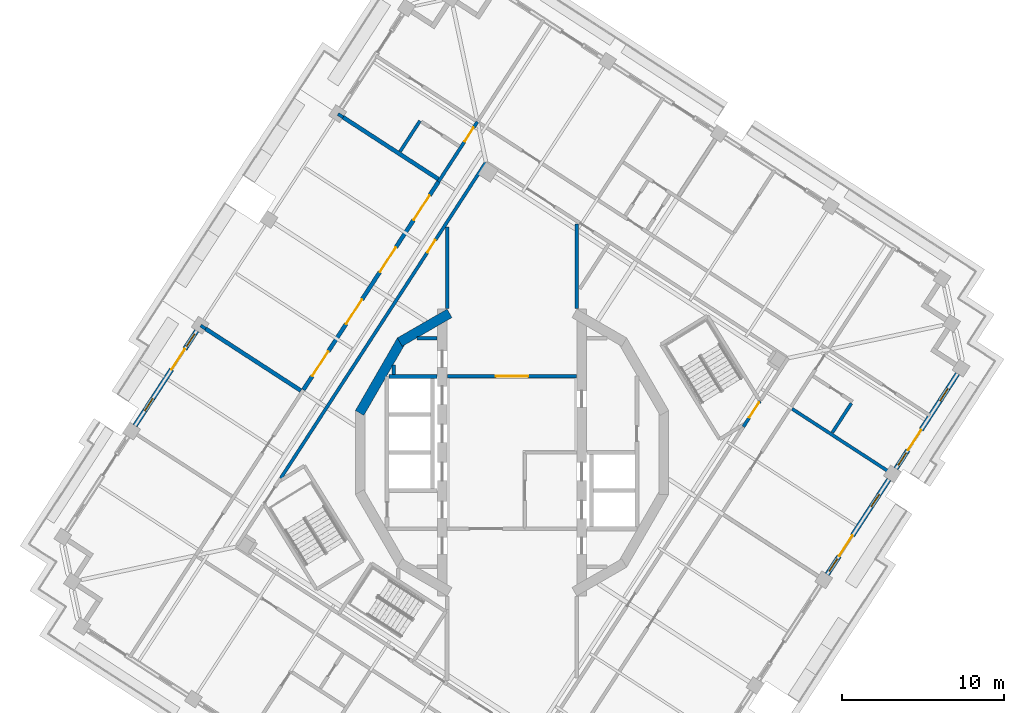
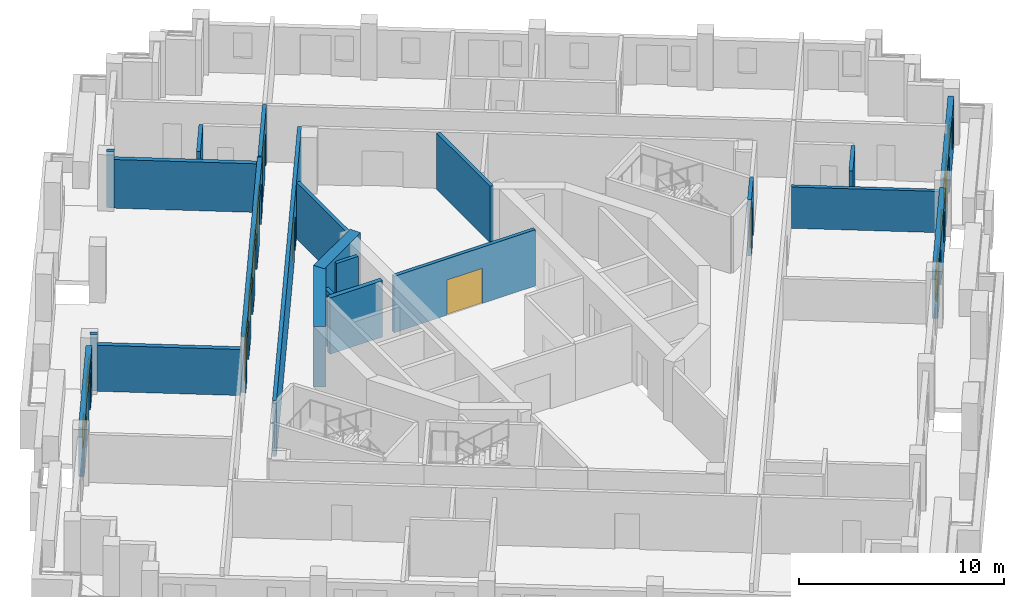
# One storey, part 7 of 15: 22 walls, 11 doors, 6 windows, 17 openings.
"""IFC4 building model written with IfcOpenShell, lengths in metres."""

from ifc_helpers import new_model, si_unit, direction, frame, frame_2d, origin, place, context, subcontext, project, spatial, rectangle, extrude, material, layer, layer_set, type_object, element, fill, save


model = new_model("IFC4")

# Units and contexts
model_context = context("Model", 3, precision=1e-05, world=origin(), true_north=direction((0.0, 1.0)))
body_context = subcontext(model_context, "Body", "Model", "MODEL_VIEW")
ifc_project = project(units=[si_unit("LENGTHUNIT", "METRE"), si_unit("AREAUNIT", "SQUARE_METRE"), si_unit("VOLUMEUNIT", "CUBIC_METRE"), si_unit("PLANEANGLEUNIT", "RADIAN"), si_unit("MASSUNIT", "GRAM", prefix="KILO")], contexts=[model_context])

# Site, building, storey
site_placement = place(None, origin())
site = spatial("IfcSite", under=ifc_project, at=site_placement, CompositionType="ELEMENT")
building_placement = place(site_placement, origin())
building = spatial("IfcBuilding", under=site, at=building_placement, Name="Cantera Rosa Tower", CompositionType="ELEMENT")
storey_placement = place(building_placement, frame((0.0, 0.0, 282.89990234375)))
storey = spatial("IfcBuildingStorey", under=building, at=storey_placement, Name="L64", CompositionType="ELEMENT", Elevation=282.89990234375)

# Wall
ifc_material_1 = material(Name="Gypsum board partition")
ifc_layer_1 = layer(ifc_material_1, 0.199951171875)
ifc_layer_set_1 = layer_set([ifc_layer_1], Name="CORRIDOR WALL 200 H3350")
wall_type_1 = type_object("IfcWallType", Name="CORRIDOR WALL 200 H3350", PredefinedType="PARTITIONING", material=ifc_layer_set_1)
wall_1_placement = place(storey_placement, frame((-4.0, 13.90087890625, 0.0), z_axis=(0.0, 0.0, 1.0), x_axis=(0.0, -1.0, 0.0)))
element("IfcWall", 1, at=wall_1_placement, inside=storey, type_object=wall_type_1, Name="CORRIDOR WALL L64-040", PredefinedType="PARTITIONING", context=body_context, shape_type="SweptSolid", body=[
    extrude(rectangle(XDim=5.02197265625, YDim=0.199951171875, at=frame_2d((2.510986328125, 0.0))), origin(), (0.0, 0.0, 1.0), 3.35009765625),
])

# Wall, opening, door
wall_2_placement = place(storey_placement, frame((-3.969970703125, 4.699951171875, 0.0), z_axis=(0.0, 0.0, 1.0), x_axis=(1.0, 0.0, 0.0)))
wall_2 = element("IfcWall", 2, at=wall_2_placement, inside=storey, type_object=wall_type_1, Name="CORRIDOR WALL L64-041", PredefinedType="PARTITIONING", context=body_context, shape_type="SweptSolid", body=[
    extrude(rectangle(XDim=7.93994140625, YDim=0.199951171875, at=frame_2d((3.969970703125, 0.0))), origin(), (0.0, 0.0, 1.0), 3.35009765625),
])
opening_1_placement = place(wall_2_placement, frame((2.969970703125, 0.0, 0.0)))
opening_1 = element("IfcOpeningElement", 3, at=opening_1_placement, cuts=wall_2, Name="Opening L64-009", PredefinedType="OPENING", context=body_context, shape_type="SweptSolid", body=[
    extrude(rectangle(XDim=2.0, YDim=2.10009765625, at=frame_2d((1.0, 1.050048828125))), frame((0.0, 0.10986328125, 0.0), z_axis=(0.0, -1.0, 0.0), x_axis=(1.0, 0.0, 0.0)), (0.0, 0.0, 1.0), 0.219970703125),
])
ifc_material_2 = material(Name="Steel S355J2 (EN 10025-2)", Category="steel")
door_type_1 = type_object("IfcDoorType", Name="LOBBY SCREEN DOOR 2000x2100", OperationType="NOTDEFINED", PredefinedType="DOOR", material=ifc_material_2)
door_1_placement = place(opening_1_placement, origin())
door_1 = element("IfcDoor", 4, at=door_1_placement, inside=storey, type_object=door_type_1, Name="DOOR L64-009", OperationType="NOTDEFINED", OverallHeight=2.10009765625, OverallWidth=2.0, PredefinedType="DOOR", context=body_context, shape_type="SweptSolid", body=[
    extrude(rectangle(XDim=2.0, YDim=2.10009765625, at=frame_2d((1.0, 1.050048828125))), frame((0.0, 0.02490234375, 0.0), z_axis=(0.0, -1.0, 0.0), x_axis=(1.0, 0.0, 0.0)), (0.0, 0.0, 1.0), 0.050048828125),
])
fill(opening_1, door_1)

wall_3_placement = place(storey_placement, frame((-2.1318359375, 20.402587890625, 0.0), z_axis=(0.0, 0.0, 1.0), x_axis=(-0.544645439903, -0.838666408528, 0.0)))
wall_3 = element("IfcWall", 5, at=wall_3_placement, inside=storey, type_object=wall_type_1, Name="CORRIDOR WALL L64-042", PredefinedType="PARTITIONING", context=body_context, shape_type="SweptSolid", body=[
    extrude(rectangle(XDim=4.405029296875, YDim=0.199951171875, at=frame_2d((2.20263671875, 0.0))), origin(), (0.0, 0.0, 1.0), 3.35009765625),
])
opening_2_placement = place(wall_3_placement, frame((0.43994140625, 0.0, 0.0)))
opening_2 = element("IfcOpeningElement", 6, at=opening_2_placement, cuts=wall_3, Name="Opening L64-025", PredefinedType="OPENING", context=body_context, shape_type="SweptSolid", body=[
    extrude(rectangle(XDim=1.0, YDim=2.10009765625, at=frame_2d((0.5, 1.050048828125))), frame((0.0, 0.10986328125, 0.0), z_axis=(0.0, -1.0, 0.0), x_axis=(1.0, 0.0, 0.0)), (0.0, 0.0, 1.0), 0.219970703125),
])
ifc_material_3 = material(Name="Timber door leaf", Category="wood")
door_type_2 = type_object("IfcDoorType", Name="ENTRANCE DOOR 1000x2100", OperationType="NOTDEFINED", PredefinedType="DOOR", material=ifc_material_3)
door_2_placement = place(opening_2_placement, origin())
door_2 = element("IfcDoor", 7, at=door_2_placement, inside=storey, type_object=door_type_2, Name="DOOR L64-025", OperationType="NOTDEFINED", OverallHeight=2.10009765625, OverallWidth=1.0, PredefinedType="DOOR", context=body_context, shape_type="SweptSolid", body=[
    extrude(rectangle(XDim=1.0, YDim=2.10009765625, at=frame_2d((0.5, 1.050048828125))), frame((0.0, 0.02490234375, 0.0), z_axis=(0.0, -1.0, 0.0), x_axis=(1.0, 0.0, 0.0)), (0.0, 0.0, 1.0), 0.050048828125),
])
fill(opening_2, door_2)

wall_4_placement = place(storey_placement, frame((-1.6025390625, 17.91259765625, 0.0), z_axis=(0.0, 0.0, 1.0), x_axis=(-0.544642173362, -0.838668529871, 0.0)))
wall_4 = element("IfcWall", 8, at=wall_4_placement, inside=storey, type_object=wall_type_1, Name="CORRIDOR WALL L64-047", PredefinedType="PARTITIONING", context=body_context, shape_type="SweptSolid", body=[
    extrude(rectangle(XDim=23.255126953125, YDim=0.199951171875, at=frame_2d((11.62744140625, 0.0))), origin(), (0.0, 0.0, 1.0), 3.35009765625),
])
opening_3_placement = place(wall_4_placement, frame((5.744140625, 0.0, 0.0)))
opening_3 = element("IfcOpeningElement", 9, at=opening_3_placement, cuts=wall_4, Name="Opening L64-005", PredefinedType="OPENING", context=body_context, shape_type="SweptSolid", body=[
    extrude(rectangle(XDim=0.89990234375, YDim=2.10009765625, at=frame_2d((0.449951171875, 1.050048828125))), frame((0.0, 0.10986328125, 0.0), z_axis=(0.0, -1.0, 0.0), x_axis=(1.0, 0.0, 0.0)), (0.0, 0.0, 1.0), 0.219970703125),
])
ifc_material_4 = material(Name="Timber door leaf", Category="wood")
door_type_3 = type_object("IfcDoorType", Name="SERVICE DOOR 900x2100", OperationType="NOTDEFINED", PredefinedType="DOOR", material=ifc_material_4)
door_3_placement = place(opening_3_placement, origin())
door_3 = element("IfcDoor", 10, at=door_3_placement, inside=storey, type_object=door_type_3, Name="DOOR L64-005", OperationType="NOTDEFINED", OverallHeight=2.10009765625, OverallWidth=0.89990234375, PredefinedType="DOOR", context=body_context, shape_type="SweptSolid", body=[
    extrude(rectangle(XDim=0.89990234375, YDim=2.10009765625, at=frame_2d((0.449951171875, 1.050048828125))), frame((0.0, 0.02490234375, 0.0), z_axis=(0.0, -1.0, 0.0), x_axis=(1.0, 0.0, 0.0)), (0.0, 0.0, 1.0), 0.050048828125),
])
fill(opening_3, door_3)

# Wall
wall_5_placement = place(storey_placement, frame((4.0, 8.87890625, 0.0), z_axis=(0.0, 0.0, 1.0), x_axis=(0.0, 1.0, 0.0)))
element("IfcWall", 11, at=wall_5_placement, inside=storey, type_object=wall_type_1, Name="CORRIDOR WALL L64-056", PredefinedType="PARTITIONING", context=body_context, shape_type="SweptSolid", body=[
    extrude(rectangle(XDim=5.21533203125, YDim=0.199951171875, at=frame_2d((2.607666015625, 0.0))), origin(), (0.0, 0.0, 1.0), 3.35009765625),
])

# Wall, openings, windows, door
ifc_material_5 = material(Name="Hollow clay masonry with cantera stone cladding", Category="masonry")
ifc_layer_2 = layer(ifc_material_5, 0.300048828125)
ifc_layer_set_2 = layer_set([ifc_layer_2], Name="EW-LOGGIA 300 H2890")
wall_type_2 = type_object("IfcWallType", Name="EW-LOGGIA 300 H2890", PredefinedType="SOLIDWALL", material=ifc_layer_set_2)
wall_6_placement = place(storey_placement, frame((-19.4453125, 7.5126953125, 0.0), z_axis=(0.0, 0.0, 1.0), x_axis=(-0.544667428764, -0.838652128146, 0.0)))
wall_6 = element("IfcWall", 12, at=wall_6_placement, inside=storey, type_object=wall_type_2, Name="EN-L64-W10", PredefinedType="SOLIDWALL", context=body_context, shape_type="SweptSolid", body=[
    extrude(rectangle(XDim=6.97998046875, YDim=0.300048828125, at=frame_2d((3.489990234375, 0.0))), origin(), (0.0, 0.0, 1.0), 2.89013671875),
])
opening_4_placement = place(wall_6_placement, frame((0.2451171875, 0.0, 0.89990234375)))
opening_4 = element("IfcOpeningElement", 13, at=opening_4_placement, cuts=wall_6, Name="Opening L64-W16", PredefinedType="OPENING", context=body_context, shape_type="SweptSolid", body=[
    extrude(rectangle(XDim=0.89990234375, YDim=1.5, at=frame_2d((0.449951171875, 0.75))), frame((0.0, 0.159912109375, 0.0), z_axis=(0.0, -1.0, 0.0), x_axis=(1.0, 0.0, 0.0)), (0.0, 0.0, 1.0), 0.320068359375),
])
opening_5_placement = place(wall_6_placement, frame((1.344970703125, 0.0, 0.0)))
opening_5 = element("IfcOpeningElement", 14, at=opening_5_placement, cuts=wall_6, Name="Opening L64-TD17", PredefinedType="OPENING", context=body_context, shape_type="SweptSolid", body=[
    extrude(rectangle(XDim=1.5, YDim=2.39990234375, at=frame_2d((0.75, 1.199951171875))), frame((0.0, 0.159912109375, 0.0), z_axis=(0.0, -1.0, 0.0), x_axis=(1.0, 0.0, 0.0)), (0.0, 0.0, 1.0), 0.320068359375),
])
opening_6_placement = place(wall_6_placement, frame((4.985107421875, 0.0, 0.89990234375)))
opening_6 = element("IfcOpeningElement", 15, at=opening_6_placement, cuts=wall_6, Name="Opening L64-W18", PredefinedType="OPENING", context=body_context, shape_type="SweptSolid", body=[
    extrude(rectangle(XDim=0.89990234375, YDim=1.5, at=frame_2d((0.449951171875, 0.75))), frame((0.0, 0.159912109375, 0.0), z_axis=(0.0, -1.0, 0.0), x_axis=(1.0, 0.0, 0.0)), (0.0, 0.0, 1.0), 0.320068359375),
])
ifc_material_6 = material(Name="Aluminium frame with clear glass", Category="aluminium")
window_type = type_object("IfcWindowType", Name="Residential window 900x1500", PartitioningType="SINGLE_PANEL", PredefinedType="WINDOW", material=ifc_material_6)
window_1_placement = place(opening_4_placement, origin())
window_1 = element("IfcWindow", 16, at=window_1_placement, inside=storey, type_object=window_type, Name="WINDOW L64-W16", OverallHeight=1.5, OverallWidth=0.89990234375, PartitioningType="SINGLE_PANEL", PredefinedType="WINDOW", context=body_context, shape_type="SweptSolid", body=[
    extrude(rectangle(XDim=0.89990234375, YDim=1.5, at=frame_2d((0.449951171875, 0.75))), frame((0.0, 0.030029296875, 0.0), z_axis=(0.0, -1.0, 0.0), x_axis=(1.0, 0.0, 0.0)), (0.0, 0.0, 1.0), 0.06005859375),
])
fill(opening_4, window_1)
window_2_placement = place(opening_6_placement, origin())
window_2 = element("IfcWindow", 17, at=window_2_placement, inside=storey, type_object=window_type, Name="WINDOW L64-W18", OverallHeight=1.5, OverallWidth=0.89990234375, PartitioningType="SINGLE_PANEL", PredefinedType="WINDOW", context=body_context, shape_type="SweptSolid", body=[
    extrude(rectangle(XDim=0.89990234375, YDim=1.5, at=frame_2d((0.449951171875, 0.75))), frame((0.0, 0.030029296875, 0.0), z_axis=(0.0, -1.0, 0.0), x_axis=(1.0, 0.0, 0.0)), (0.0, 0.0, 1.0), 0.06005859375),
])
fill(opening_6, window_2)
ifc_material_7 = material(Name="Aluminium frame with clear glass", Category="aluminium")
door_type_4 = type_object("IfcDoorType", Name="TD-R 1500x2400", OperationType="NOTDEFINED", PredefinedType="DOOR", material=ifc_material_7)
door_4_placement = place(opening_5_placement, origin())
door_4 = element("IfcDoor", 18, at=door_4_placement, inside=storey, type_object=door_type_4, Name="LOGGIA DOOR L64-TD17", OperationType="SLIDING_TO_LEFT", OverallHeight=2.39990234375, OverallWidth=1.5, PredefinedType="DOOR", context=body_context, shape_type="SweptSolid", body=[
    extrude(rectangle(XDim=1.5, YDim=2.39990234375, at=frame_2d((0.75, 1.199951171875))), frame((0.0, 0.02490234375, 0.0), z_axis=(0.0, -1.0, 0.0), x_axis=(1.0, 0.0, 0.0)), (0.0, 0.0, 1.0), 0.050048828125),
])
fill(opening_5, door_4)

wall_7_placement = place(storey_placement, frame((19.4453125, -7.5126953125, 0.0), z_axis=(0.0, 0.0, 1.0), x_axis=(0.544667428764, 0.838652128146, 0.0)))
wall_7 = element("IfcWall", 19, at=wall_7_placement, inside=storey, type_object=wall_type_2, Name="EN-L64-W23", PredefinedType="SOLIDWALL", context=body_context, shape_type="SweptSolid", body=[
    extrude(rectangle(XDim=6.97998046875, YDim=0.300048828125, at=frame_2d((3.489990234375, 0.0))), origin(), (0.0, 0.0, 1.0), 2.89013671875),
])
opening_7_placement = place(wall_7_placement, frame((0.2451171875, 0.0, 0.89990234375)))
opening_7 = element("IfcOpeningElement", 20, at=opening_7_placement, cuts=wall_7, Name="Opening L64-W43", PredefinedType="OPENING", context=body_context, shape_type="SweptSolid", body=[
    extrude(rectangle(XDim=0.89990234375, YDim=1.5, at=frame_2d((0.449951171875, 0.75))), frame((0.0, 0.159912109375, 0.0), z_axis=(0.0, -1.0, 0.0), x_axis=(1.0, 0.0, 0.0)), (0.0, 0.0, 1.0), 0.320068359375),
])
opening_8_placement = place(wall_7_placement, frame((1.344970703125, 0.0, 0.0)))
opening_8 = element("IfcOpeningElement", 21, at=opening_8_placement, cuts=wall_7, Name="Opening L64-TD44", PredefinedType="OPENING", context=body_context, shape_type="SweptSolid", body=[
    extrude(rectangle(XDim=1.5, YDim=2.39990234375, at=frame_2d((0.75, 1.199951171875))), frame((0.0, 0.159912109375, 0.0), z_axis=(0.0, -1.0, 0.0), x_axis=(1.0, 0.0, 0.0)), (0.0, 0.0, 1.0), 0.320068359375),
])
opening_9_placement = place(wall_7_placement, frame((4.985107421875, 0.0, 0.89990234375)))
opening_9 = element("IfcOpeningElement", 22, at=opening_9_placement, cuts=wall_7, Name="Opening L64-W45", PredefinedType="OPENING", context=body_context, shape_type="SweptSolid", body=[
    extrude(rectangle(XDim=0.89990234375, YDim=1.5, at=frame_2d((0.449951171875, 0.75))), frame((0.0, 0.159912109375, 0.0), z_axis=(0.0, -1.0, 0.0), x_axis=(1.0, 0.0, 0.0)), (0.0, 0.0, 1.0), 0.320068359375),
])
window_3_placement = place(opening_7_placement, origin())
window_3 = element("IfcWindow", 23, at=window_3_placement, inside=storey, type_object=window_type, Name="WINDOW L64-W43", OverallHeight=1.5, OverallWidth=0.89990234375, PartitioningType="SINGLE_PANEL", PredefinedType="WINDOW", context=body_context, shape_type="SweptSolid", body=[
    extrude(rectangle(XDim=0.89990234375, YDim=1.5, at=frame_2d((0.449951171875, 0.75))), frame((0.0, 0.030029296875, 0.0), z_axis=(0.0, -1.0, 0.0), x_axis=(1.0, 0.0, 0.0)), (0.0, 0.0, 1.0), 0.06005859375),
])
fill(opening_7, window_3)
window_4_placement = place(opening_9_placement, origin())
window_4 = element("IfcWindow", 24, at=window_4_placement, inside=storey, type_object=window_type, Name="WINDOW L64-W45", OverallHeight=1.5, OverallWidth=0.89990234375, PartitioningType="SINGLE_PANEL", PredefinedType="WINDOW", context=body_context, shape_type="SweptSolid", body=[
    extrude(rectangle(XDim=0.89990234375, YDim=1.5, at=frame_2d((0.449951171875, 0.75))), frame((0.0, 0.030029296875, 0.0), z_axis=(0.0, -1.0, 0.0), x_axis=(1.0, 0.0, 0.0)), (0.0, 0.0, 1.0), 0.06005859375),
])
fill(opening_9, window_4)
door_5_placement = place(opening_8_placement, origin())
door_5 = element("IfcDoor", 25, at=door_5_placement, inside=storey, type_object=door_type_4, Name="LOGGIA DOOR L64-TD44", OperationType="SLIDING_TO_LEFT", OverallHeight=2.39990234375, OverallWidth=1.5, PredefinedType="DOOR", context=body_context, shape_type="SweptSolid", body=[
    extrude(rectangle(XDim=1.5, YDim=2.39990234375, at=frame_2d((0.75, 1.199951171875))), frame((0.0, 0.02490234375, 0.0), z_axis=(0.0, -1.0, 0.0), x_axis=(1.0, 0.0, 0.0)), (0.0, 0.0, 1.0), 0.050048828125),
])
fill(opening_8, door_5)

wall_8_placement = place(storey_placement, frame((23.6826171875, -0.98779296875, 0.0), z_axis=(0.0, 0.0, 1.0), x_axis=(0.544667428764, 0.838652128146, 0.0)))
wall_8 = element("IfcWall", 26, at=wall_8_placement, inside=storey, type_object=wall_type_2, Name="EN-L64-W24", PredefinedType="SOLIDWALL", context=body_context, shape_type="SweptSolid", body=[
    extrude(rectangle(XDim=6.97998046875, YDim=0.300048828125, at=frame_2d((3.489990234375, 0.0))), origin(), (0.0, 0.0, 1.0), 2.89013671875),
])
opening_10_placement = place(wall_8_placement, frame((0.2451171875, 0.0, 0.89990234375)))
opening_10 = element("IfcOpeningElement", 27, at=opening_10_placement, cuts=wall_8, Name="Opening L64-W46", PredefinedType="OPENING", context=body_context, shape_type="SweptSolid", body=[
    extrude(rectangle(XDim=0.89990234375, YDim=1.5, at=frame_2d((0.449951171875, 0.75))), frame((0.0, 0.159912109375, 0.0), z_axis=(0.0, -1.0, 0.0), x_axis=(1.0, 0.0, 0.0)), (0.0, 0.0, 1.0), 0.320068359375),
])
opening_11_placement = place(wall_8_placement, frame((1.344970703125, 0.0, 0.0)))
opening_11 = element("IfcOpeningElement", 28, at=opening_11_placement, cuts=wall_8, Name="Opening L64-TD47", PredefinedType="OPENING", context=body_context, shape_type="SweptSolid", body=[
    extrude(rectangle(XDim=1.5, YDim=2.39990234375, at=frame_2d((0.75, 1.199951171875))), frame((0.0, 0.159912109375, 0.0), z_axis=(0.0, -1.0, 0.0), x_axis=(1.0, 0.0, 0.0)), (0.0, 0.0, 1.0), 0.320068359375),
])
opening_12_placement = place(wall_8_placement, frame((4.985107421875, 0.0, 0.89990234375)))
opening_12 = element("IfcOpeningElement", 29, at=opening_12_placement, cuts=wall_8, Name="Opening L64-W48", PredefinedType="OPENING", context=body_context, shape_type="SweptSolid", body=[
    extrude(rectangle(XDim=0.89990234375, YDim=1.5, at=frame_2d((0.449951171875, 0.75))), frame((0.0, 0.159912109375, 0.0), z_axis=(0.0, -1.0, 0.0), x_axis=(1.0, 0.0, 0.0)), (0.0, 0.0, 1.0), 0.320068359375),
])
window_5_placement = place(opening_10_placement, origin())
window_5 = element("IfcWindow", 30, at=window_5_placement, inside=storey, type_object=window_type, Name="WINDOW L64-W46", OverallHeight=1.5, OverallWidth=0.89990234375, PartitioningType="SINGLE_PANEL", PredefinedType="WINDOW", context=body_context, shape_type="SweptSolid", body=[
    extrude(rectangle(XDim=0.89990234375, YDim=1.5, at=frame_2d((0.449951171875, 0.75))), frame((0.0, 0.030029296875, 0.0), z_axis=(0.0, -1.0, 0.0), x_axis=(1.0, 0.0, 0.0)), (0.0, 0.0, 1.0), 0.06005859375),
])
fill(opening_10, window_5)
window_6_placement = place(opening_12_placement, origin())
window_6 = element("IfcWindow", 31, at=window_6_placement, inside=storey, type_object=window_type, Name="WINDOW L64-W48", OverallHeight=1.5, OverallWidth=0.89990234375, PartitioningType="SINGLE_PANEL", PredefinedType="WINDOW", context=body_context, shape_type="SweptSolid", body=[
    extrude(rectangle(XDim=0.89990234375, YDim=1.5, at=frame_2d((0.449951171875, 0.75))), frame((0.0, 0.030029296875, 0.0), z_axis=(0.0, -1.0, 0.0), x_axis=(1.0, 0.0, 0.0)), (0.0, 0.0, 1.0), 0.06005859375),
])
fill(opening_12, window_6)
door_6_placement = place(opening_11_placement, origin())
door_6 = element("IfcDoor", 32, at=door_6_placement, inside=storey, type_object=door_type_4, Name="LOGGIA DOOR L64-TD47", OperationType="SLIDING_TO_LEFT", OverallHeight=2.39990234375, OverallWidth=1.5, PredefinedType="DOOR", context=body_context, shape_type="SweptSolid", body=[
    extrude(rectangle(XDim=1.5, YDim=2.39990234375, at=frame_2d((0.75, 1.199951171875))), frame((0.0, 0.02490234375, 0.0), z_axis=(0.0, -1.0, 0.0), x_axis=(1.0, 0.0, 0.0)), (0.0, 0.0, 1.0), 0.050048828125),
])
fill(opening_11, door_6)

# Walls
ifc_material_8 = material(Name="Concrete C40/50", Category="concrete")
ifc_layer_3 = layer(ifc_material_8, 0.25)
ifc_layer_set_3 = layer_set([ifc_layer_3], Name="EW-POCKET CHEEK 250 H2735")
wall_type_3 = type_object("IfcWallType", Name="EW-POCKET CHEEK 250 H2735", PredefinedType="SOLIDWALL", material=ifc_layer_set_3)
wall_9_placement = place(storey_placement, frame((-18.89208984375, 7.63037109375, 0.0), z_axis=(0.0, 0.0, 1.0), x_axis=(0.838665071449, -0.544647498784, 0.0)))
element("IfcWall", 33, at=wall_9_placement, inside=storey, type_object=wall_type_3, Name="POCKET CHEEK B L64", PredefinedType="SOLIDWALL", context=body_context, shape_type="SweptSolid", body=[
    extrude(rectangle(XDim=7.0, YDim=0.25, at=frame_2d((3.5, 0.0))), origin(), (0.0, 0.0, 1.0), 2.735107421875),
])
ifc_material_9 = material(Name="Concrete C40/50", Category="concrete")
ifc_layer_4 = layer(ifc_material_9, 0.25)
ifc_layer_set_4 = layer_set([ifc_layer_4], Name="EW-POCKET CHEEK 250 H2890")
wall_type_4 = type_object("IfcWallType", Name="EW-POCKET CHEEK 250 H2890", PredefinedType="SOLIDWALL", material=ifc_layer_set_4)
wall_10_placement = place(storey_placement, frame((-10.41748046875, 20.68017578125, 0.0), z_axis=(0.0, 0.0, 1.0), x_axis=(0.838665071449, -0.544647498784, 0.0)))
element("IfcWall", 34, at=wall_10_placement, inside=storey, type_object=wall_type_4, Name="POCKET CHEEK A L64", PredefinedType="SOLIDWALL", context=body_context, shape_type="SweptSolid", body=[
    extrude(rectangle(XDim=7.0, YDim=0.25, at=frame_2d((3.5, 0.0))), origin(), (0.0, 0.0, 1.0), 2.89013671875),
])

# Wall, openings, doors
ifc_material_10 = material(Name="Hollow clay masonry with cantera stone cladding", Category="masonry")
ifc_layer_5 = layer(ifc_material_10, 0.25)
ifc_layer_set_5 = layer_set([ifc_layer_5], Name="EW-POCKET REAR 250")
wall_type_5 = type_object("IfcWallType", Name="EW-POCKET REAR 250", PredefinedType="SOLIDWALL", material=ifc_layer_set_5)
wall_11_placement = place(storey_placement, frame((-4.531005859375, 16.708251953125, 0.0), z_axis=(0.0, 0.0, 1.0), x_axis=(-0.544635742494, -0.838672706125, 0.0)))
wall_11 = element("IfcWall", 35, at=wall_11_placement, inside=storey, type_object=wall_type_5, Name="POCKET REAR L64", PredefinedType="SOLIDWALL", context=body_context, shape_type="SweptSolid", body=[
    extrude(rectangle(XDim=15.31005859375, YDim=0.25, at=frame_2d((7.655029296875, 0.0))), origin(), (0.0, 0.0, 1.0), 3.300048828125),
])
opening_13_placement = place(wall_11_placement, frame((1.013671875, 0.0, 0.0)))
opening_13 = element("IfcOpeningElement", 36, at=opening_13_placement, cuts=wall_11, Name="Opening L64-LT01", PredefinedType="OPENING", context=body_context, shape_type="SweptSolid", body=[
    extrude(rectangle(XDim=1.800048828125, YDim=2.39990234375, at=frame_2d((0.89990234375, 1.199951171875))), frame((0.0, 0.135009765625, 0.0), z_axis=(0.0, -1.0, 0.0), x_axis=(1.0, 0.0, 0.0)), (0.0, 0.0, 1.0), 0.27001953125),
])
opening_14_placement = place(wall_11_placement, frame((4.84130859375, 0.0, 0.0)))
opening_14 = element("IfcOpeningElement", 37, at=opening_14_placement, cuts=wall_11, Name="Opening L64-LT02", PredefinedType="OPENING", context=body_context, shape_type="SweptSolid", body=[
    extrude(rectangle(XDim=1.800048828125, YDim=2.39990234375, at=frame_2d((0.89990234375, 1.199951171875))), frame((0.0, 0.135009765625, 0.0), z_axis=(0.0, -1.0, 0.0), x_axis=(1.0, 0.0, 0.0)), (0.0, 0.0, 1.0), 0.27001953125),
])
opening_15_placement = place(wall_11_placement, frame((8.668701171875, 0.0, 0.0)))
opening_15 = element("IfcOpeningElement", 38, at=opening_15_placement, cuts=wall_11, Name="Opening L64-LT03", PredefinedType="OPENING", context=body_context, shape_type="SweptSolid", body=[
    extrude(rectangle(XDim=1.800048828125, YDim=2.39990234375, at=frame_2d((0.89990234375, 1.199951171875))), frame((0.0, 0.135009765625, 0.0), z_axis=(0.0, -1.0, 0.0), x_axis=(1.0, 0.0, 0.0)), (0.0, 0.0, 1.0), 0.27001953125),
])
opening_16_placement = place(wall_11_placement, frame((12.496337890625, 0.0, 0.0)))
opening_16 = element("IfcOpeningElement", 39, at=opening_16_placement, cuts=wall_11, Name="Opening L64-LT04", PredefinedType="OPENING", context=body_context, shape_type="SweptSolid", body=[
    extrude(rectangle(XDim=1.800048828125, YDim=2.39990234375, at=frame_2d((0.89990234375, 1.199951171875))), frame((0.0, 0.135009765625, 0.0), z_axis=(0.0, -1.0, 0.0), x_axis=(1.0, 0.0, 0.0)), (0.0, 0.0, 1.0), 0.27001953125),
])
ifc_material_11 = material(Name="Aluminium frame with clear glass", Category="aluminium")
door_type_5 = type_object("IfcDoorType", Name="TD-T 1800x2400", OperationType="NOTDEFINED", PredefinedType="DOOR", material=ifc_material_11)
door_7_placement = place(opening_13_placement, origin())
door_7 = element("IfcDoor", 40, at=door_7_placement, inside=storey, type_object=door_type_5, Name="TERRACE DOOR L64-LT01", OperationType="DOUBLE_DOOR_SINGLE_SWING", OverallHeight=2.39990234375, OverallWidth=1.800048828125, PredefinedType="DOOR", context=body_context, shape_type="SweptSolid", body=[
    extrude(rectangle(XDim=1.800048828125, YDim=2.39990234375, at=frame_2d((0.89990234375, 1.199951171875))), frame((0.0, 0.02490234375, 0.0), z_axis=(0.0, -1.0, 0.0), x_axis=(1.0, 0.0, 0.0)), (0.0, 0.0, 1.0), 0.050048828125),
])
fill(opening_13, door_7)
door_8_placement = place(opening_14_placement, origin())
door_8 = element("IfcDoor", 41, at=door_8_placement, inside=storey, type_object=door_type_5, Name="TERRACE DOOR L64-LT02", OperationType="DOUBLE_DOOR_SINGLE_SWING", OverallHeight=2.39990234375, OverallWidth=1.800048828125, PredefinedType="DOOR", context=body_context, shape_type="SweptSolid", body=[
    extrude(rectangle(XDim=1.800048828125, YDim=2.39990234375, at=frame_2d((0.89990234375, 1.199951171875))), frame((0.0, 0.02490234375, 0.0), z_axis=(0.0, -1.0, 0.0), x_axis=(1.0, 0.0, 0.0)), (0.0, 0.0, 1.0), 0.050048828125),
])
fill(opening_14, door_8)
door_9_placement = place(opening_15_placement, origin())
door_9 = element("IfcDoor", 42, at=door_9_placement, inside=storey, type_object=door_type_5, Name="TERRACE DOOR L64-LT03", OperationType="DOUBLE_DOOR_SINGLE_SWING", OverallHeight=2.39990234375, OverallWidth=1.800048828125, PredefinedType="DOOR", context=body_context, shape_type="SweptSolid", body=[
    extrude(rectangle(XDim=1.800048828125, YDim=2.39990234375, at=frame_2d((0.89990234375, 1.199951171875))), frame((0.0, 0.02490234375, 0.0), z_axis=(0.0, -1.0, 0.0), x_axis=(1.0, 0.0, 0.0)), (0.0, 0.0, 1.0), 0.050048828125),
])
fill(opening_15, door_9)
door_10_placement = place(opening_16_placement, origin())
door_10 = element("IfcDoor", 43, at=door_10_placement, inside=storey, type_object=door_type_5, Name="TERRACE DOOR L64-LT04", OperationType="DOUBLE_DOOR_SINGLE_SWING", OverallHeight=2.39990234375, OverallWidth=1.800048828125, PredefinedType="DOOR", context=body_context, shape_type="SweptSolid", body=[
    extrude(rectangle(XDim=1.800048828125, YDim=2.39990234375, at=frame_2d((0.89990234375, 1.199951171875))), frame((0.0, 0.02490234375, 0.0), z_axis=(0.0, -1.0, 0.0), x_axis=(1.0, 0.0, 0.0)), (0.0, 0.0, 1.0), 0.050048828125),
])
fill(opening_16, door_10)

# Walls
ifc_material_12 = material(Name="Gypsum board partition")
ifc_layer_6 = layer(ifc_material_12, 0.199951171875)
ifc_layer_set_6 = layer_set([ifc_layer_6], Name="PARTITION 200 H3350")
wall_type_6 = type_object("IfcWallType", Name="PARTITION 200 H3350", PredefinedType="PARTITIONING", material=ifc_layer_set_6)
wall_12_placement = place(storey_placement, frame((-19.202392578125, 7.831787109375, 0.0), z_axis=(0.0, 0.0, 1.0), x_axis=(0.838790236691, -0.544454716971, 0.0)))
element("IfcWall", 44, at=wall_12_placement, inside=storey, type_object=wall_type_6, Name="PARTITION L64-003", PredefinedType="PARTITIONING", context=body_context, shape_type="SweptSolid", body=[
    extrude(rectangle(XDim=0.369873046875, YDim=0.199951171875, at=frame_2d((0.18505859375, 0.0))), origin(), (0.0, 0.0, 1.0), 3.35009765625),
])
wall_13_placement = place(storey_placement, frame((-7.300048828125, 4.824951171875, 0.0), z_axis=(0.0, 0.0, 1.0), x_axis=(0.0, 1.0, 0.0)))
element("IfcWall", 45, at=wall_13_placement, inside=storey, type_object=wall_type_6, Name="PARTITION L64-026", PredefinedType="PARTITIONING", context=body_context, shape_type="SweptSolid", body=[
    extrude(rectangle(XDim=0.589599609375, YDim=0.199951171875, at=frame_2d((0.294921875, 0.0))), origin(), (0.0, 0.0, 1.0), 3.35009765625),
])
wall_14_placement = place(storey_placement, frame((-6.905517578125, 18.560302734375, 0.0), z_axis=(0.0, 0.0, 1.0), x_axis=(0.544635965926, 0.838672561027, 0.0)))
element("IfcWall", 46, at=wall_14_placement, inside=storey, type_object=wall_type_6, Name="PARTITION L64-028", PredefinedType="PARTITIONING", context=body_context, shape_type="SweptSolid", body=[
    extrude(rectangle(XDim=2.26513671875, YDim=0.199951171875, at=frame_2d((1.132568359375, 0.0))), origin(), (0.0, 0.0, 1.0), 3.35009765625),
])
wall_15_placement = place(storey_placement, frame((-5.84765625, 7.050048828125, 0.0), z_axis=(0.0, 0.0, 1.0), x_axis=(1.0, 0.0, 0.0)))
element("IfcWall", 47, at=wall_15_placement, inside=storey, type_object=wall_type_6, Name="PARTITION L64-031", PredefinedType="PARTITIONING", context=body_context, shape_type="SweptSolid", body=[
    extrude(rectangle(XDim=1.2177734375, YDim=0.199951171875, at=frame_2d((0.60888671875, 0.0))), origin(), (0.0, 0.0, 1.0), 3.35009765625),
])
wall_16_placement = place(storey_placement, frame((20.9326171875, 3.039794921875, 0.0), z_axis=(0.0, 0.0, 1.0), x_axis=(-0.544670488944, -0.838650140686, 0.0)))
element("IfcWall", 48, at=wall_16_placement, inside=storey, type_object=wall_type_6, Name="PARTITION L64-087", PredefinedType="PARTITIONING", context=body_context, shape_type="SweptSolid", body=[
    extrude(rectangle(XDim=2.16015625, YDim=0.199951171875, at=frame_2d((1.080078125, 0.0))), origin(), (0.0, 0.0, 1.0), 3.35009765625),
])
ifc_material_13 = material(Name="Gypsum board partition")
ifc_layer_7 = layer(ifc_material_13, 0.199951171875)
ifc_layer_set_7 = layer_set([ifc_layer_7], Name="PARTY WALL 200 H2450")
wall_type_7 = type_object("IfcWallType", Name="PARTY WALL 200 H2450", PredefinedType="PARTITIONING", material=ifc_layer_set_7)
wall_17_placement = place(storey_placement, frame((17.275390625, 2.696044921875, 0.0), z_axis=(0.0, 0.0, 1.0), x_axis=(0.838684106336, -0.544618187155, 0.0)))
element("IfcWall", 49, at=wall_17_placement, inside=storey, type_object=wall_type_7, Name="PARTY WALL L64-084", PredefinedType="PARTITIONING", context=body_context, shape_type="SweptSolid", body=[
    extrude(rectangle(XDim=7.349853515625, YDim=0.199951171875, at=frame_2d((3.6748046875, 0.0))), origin(), (0.0, 0.0, 1.0), 2.4501953125),
])
ifc_material_14 = material(Name="Gypsum board partition")
ifc_layer_8 = layer(ifc_material_14, 0.199951171875)
ifc_layer_set_8 = layer_set([ifc_layer_8], Name="PARTY WALL 200 H3350")
wall_type_8 = type_object("IfcWallType", Name="PARTY WALL 200 H3350", PredefinedType="PARTITIONING", material=ifc_layer_set_8)
wall_18_placement = place(storey_placement, frame((-10.41748046875, 20.68017578125, 0.0), z_axis=(0.0, 0.0, 1.0), x_axis=(-0.838790236691, 0.544454716971, 0.0)))
element("IfcWall", 50, at=wall_18_placement, inside=storey, type_object=wall_type_8, Name="PARTY WALL L64-036", PredefinedType="PARTITIONING", context=body_context, shape_type="SweptSolid", body=[
    extrude(rectangle(XDim=0.369873046875, YDim=0.199951171875, at=frame_2d((0.18505859375, 0.0))), origin(), (0.0, 0.0, 1.0), 3.35009765625),
])
ifc_material_15 = material(Name="Concrete C50/60", Category="concrete")
ifc_layer_9 = layer(ifc_material_15, 0.60009765625)
ifc_layer_set_9 = layer_set([ifc_layer_9], Name="RC CORE WALL 600 C50/60")
wall_type_9 = type_object("IfcWallType", Name="RC CORE WALL 600 C50/60", PredefinedType="SHEAR", material=ifc_layer_set_9)
wall_19_placement = place(storey_placement, frame((-9.3994140625, 2.438232421875, 0.0), z_axis=(0.0, 0.0, 1.0), x_axis=(0.499989188378, 0.866031645787, 0.0)))
element("IfcWall", 51, at=wall_19_placement, inside=storey, type_object=wall_type_9, Name="CW-W4 L64", PredefinedType="SHEAR", context=body_context, shape_type="SweptSolid", body=[
    extrude(rectangle(XDim=5.17626953125, YDim=0.60009765625, at=frame_2d((2.588134765625, 0.0))), origin(), (0.0, 0.0, 1.0), 3.60009765625),
])
wall_20_placement = place(storey_placement, frame((-6.921142578125, 6.811279296875, 0.0), z_axis=(0.0, 0.0, 1.0), x_axis=(0.866039982607, 0.499974747889, 0.0)))
element("IfcWall", 52, at=wall_20_placement, inside=storey, type_object=wall_type_9, Name="CW-W5 L64", PredefinedType="SHEAR", context=body_context, shape_type="SweptSolid", body=[
    extrude(rectangle(XDim=3.546142578125, YDim=0.60009765625, at=frame_2d((1.77294921875, 0.0))), origin(), (0.0, 0.0, 1.0), 3.60009765625),
])
ifc_material_16 = material(Name="Masonry blockwork", Category="masonry")
ifc_layer_10 = layer(ifc_material_16, 0.25)
ifc_layer_set_10 = layer_set([ifc_layer_10], Name="SHAFT WALL 250 H3350")
wall_type_10 = type_object("IfcWallType", Name="SHAFT WALL 250 H3350", PredefinedType="SOLIDWALL", material=ifc_layer_set_10)
wall_21_placement = place(storey_placement, frame((-7.580078125, 4.699951171875, 0.0), z_axis=(0.0, 0.0, 1.0), x_axis=(1.0, 0.0, 0.0)))
element("IfcWall", 53, at=wall_21_placement, inside=storey, type_object=wall_type_10, Name="SHAFT WALL L64-025", PredefinedType="SOLIDWALL", context=body_context, shape_type="SweptSolid", body=[
    extrude(rectangle(XDim=2.9501953125, YDim=0.25, at=frame_2d((1.47509765625, 0.0))), origin(), (0.0, 0.0, 1.0), 3.35009765625),
])

# Wall, opening, door
ifc_material_17 = material(Name="Concrete C50/60", Category="concrete")
ifc_layer_11 = layer(ifc_material_17, 0.199951171875)
ifc_layer_set_11 = layer_set([ifc_layer_11], Name="STAIR WALL 200 H3350")
wall_type_11 = type_object("IfcWallType", Name="STAIR WALL 200 H3350", PredefinedType="SOLIDWALL", material=ifc_layer_set_11)
wall_22_placement = place(storey_placement, frame((14.268310546875, 1.5908203125, 0.0), z_axis=(0.0, 0.0, 1.0), x_axis=(0.544651565877, 0.838662430176, 0.0)))
wall_22 = element("IfcWall", 54, at=wall_22_placement, inside=storey, type_object=wall_type_11, Name="STAIR WALL L64-077", PredefinedType="SOLIDWALL", context=body_context, shape_type="SweptSolid", body=[
    extrude(rectangle(XDim=1.8857421875, YDim=0.199951171875, at=frame_2d((0.94287109375, 0.0))), origin(), (0.0, 0.0, 1.0), 3.35009765625),
])
opening_17_placement = place(wall_22_placement, frame((0.6689453125, 0.0, 0.0)))
opening_17 = element("IfcOpeningElement", 55, at=opening_17_placement, cuts=wall_22, Name="Opening L64-001", PredefinedType="OPENING", context=body_context, shape_type="SweptSolid", body=[
    extrude(rectangle(XDim=1.10009765625, YDim=2.10009765625, at=frame_2d((0.550048828125, 1.050048828125))), frame((0.0, 0.10986328125, 0.0), z_axis=(0.0, -1.0, 0.0), x_axis=(1.0, 0.0, 0.0)), (0.0, 0.0, 1.0), 0.219970703125),
])
ifc_material_18 = material(Name="Steel S355J2 (EN 10025-2)", Category="steel")
door_type_6 = type_object("IfcDoorType", Name="STAIR DOOR 1100x2100", OperationType="NOTDEFINED", PredefinedType="DOOR", material=ifc_material_18)
door_11_placement = place(opening_17_placement, origin())
door_11 = element("IfcDoor", 56, at=door_11_placement, inside=storey, type_object=door_type_6, Name="DOOR L64-001", OperationType="NOTDEFINED", OverallHeight=2.10009765625, OverallWidth=1.10009765625, PredefinedType="DOOR", context=body_context, shape_type="SweptSolid", body=[
    extrude(rectangle(XDim=1.10009765625, YDim=2.10009765625, at=frame_2d((0.550048828125, 1.050048828125))), frame((0.0, 0.02490234375, 0.0), z_axis=(0.0, -1.0, 0.0), x_axis=(1.0, 0.0, 0.0)), (0.0, 0.0, 1.0), 0.050048828125),
])
fill(opening_17, door_11)

save(model, "model.ifc")
